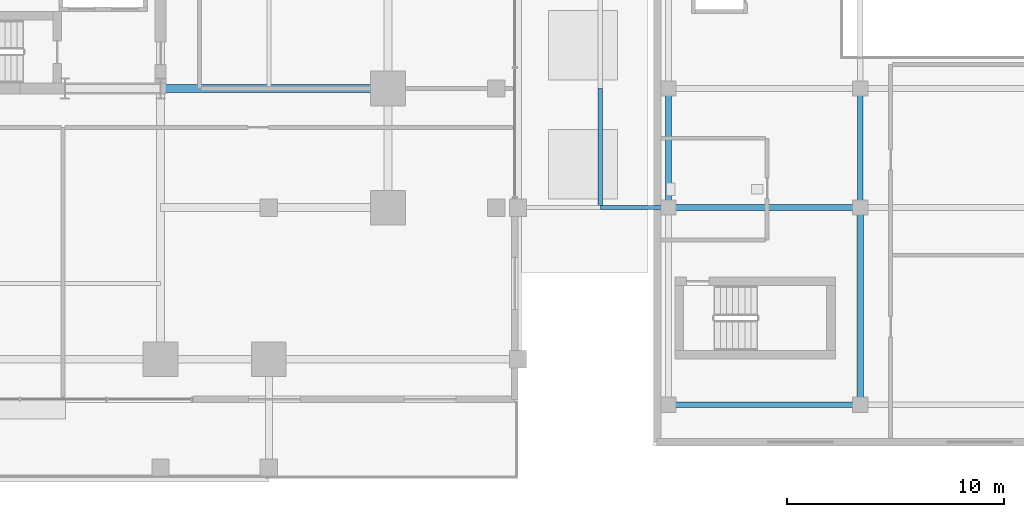
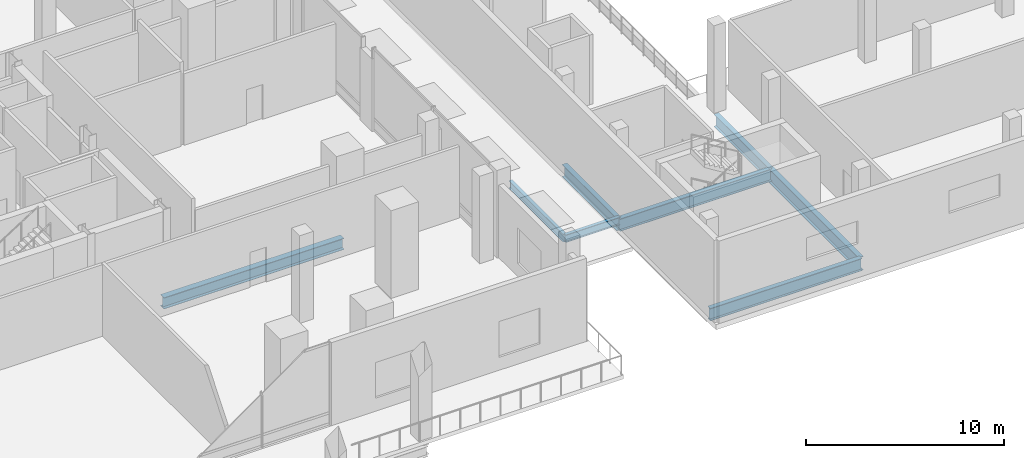
# One storey, part 10 of 36: 8 beams.
"""IFC4 building model written with IfcOpenShell, lengths in metres."""

from ifc_helpers import new_model, si_unit, direction, frame, origin, origin_2d, place, context, subcontext, project, spatial, i_section, extrude, material, material_profile, profile_set, type_object, element, save


model = new_model("IFC4")

# Units and contexts
model_context = context("Model", 3, precision=1e-05, world=origin(), true_north=direction((0.0, 1.0)))
body_context = subcontext(model_context, "Body", "Model", "MODEL_VIEW")
ifc_project = project(units=[si_unit("LENGTHUNIT", "METRE"), si_unit("AREAUNIT", "SQUARE_METRE"), si_unit("VOLUMEUNIT", "CUBIC_METRE"), si_unit("PLANEANGLEUNIT", "RADIAN"), si_unit("MASSUNIT", "GRAM", prefix="KILO")], contexts=[model_context])

# Site, building, storey
site_placement = place(None, origin())
site = spatial("IfcSite", under=ifc_project, at=site_placement, CompositionType="ELEMENT")
building_placement = place(site_placement, origin())
building = spatial("IfcBuilding", under=site, at=building_placement, Name="Barlavira Tower and Art Museum", CompositionType="ELEMENT")
storey_placement = place(building_placement, frame((0.0, 0.0, 11.39990234375)))
storey = spatial("IfcBuildingStorey", under=building, at=storey_placement, Name="L02", CompositionType="ELEMENT", Elevation=11.39990234375)

# Beams
ifc_material = material(Name="Steel S355", Category="steel")
ifc_material_profile_1 = material_profile(ifc_material, i_section(OverallWidth=0.194091796875, OverallDepth=0.468994140625, WebThickness=0.0126953125, FlangeThickness=0.0205078125, at=origin_2d()), Name="W460x106.0")
ifc_profile_set_1 = profile_set([ifc_material_profile_1], Name="Steel S355")
beam_type_1 = type_object("IfcBeamType", Name="Covered Arcade Roof Girder W460x106 Steel S355", PredefinedType="BEAM", material=ifc_profile_set_1)
beam_1_placement = place(storey_placement, frame((26.800048828125, -13.0, -0.46435546875), z_axis=(1.0, 0.0, 0.0), x_axis=(0.0, 1.0, 0.0)))
element("IfcBeam", 1, at=beam_1_placement, inside=storey, type_object=beam_type_1, Name="L02 Arcade Sliding-Bearing Span 1", PredefinedType="BEAM", context=body_context, shape_type="SweptSolid", body=[
    extrude(i_section(OverallWidth=0.194091796875, OverallDepth=0.468994140625, WebThickness=0.0126953125, FlangeThickness=0.0205078125, at=origin_2d()), origin(), (0.0, 0.0, 1.0), 3.14990234375),
])
beam_2_placement = place(storey_placement, frame((26.800048828125, -13.0, -0.46435546875), z_axis=(0.0, 1.0, 0.0), x_axis=(-1.0, 0.0, 0.0)))
element("IfcBeam", 2, at=beam_2_placement, inside=storey, type_object=beam_type_1, Name="L02 Arcade Longitudinal Beam 1", PredefinedType="BEAM", context=body_context, shape_type="SweptSolid", body=[
    extrude(i_section(OverallWidth=0.194091796875, OverallDepth=0.468994140625, WebThickness=0.0126953125, FlangeThickness=0.0205078125, at=origin_2d()), origin(), (0.0, 0.0, 1.0), 5.5),
])
ifc_material_profile_2 = material_profile(ifc_material, i_section(OverallWidth=0.2939453125, OverallDepth=0.85107421875, WebThickness=0.017333984375, FlangeThickness=0.0283203125, at=origin_2d()), Name="W840x251.0")
ifc_profile_set_2 = profile_set([ifc_material_profile_2], Name="Steel S355")
beam_type_2 = type_object("IfcBeamType", Name="Museum Auditorium Heavy Girder W840x251 Steel S355", PredefinedType="BEAM", material=ifc_profile_set_2)
beam_3_placement = place(storey_placement, frame((38.800048828125, -22.10009765625, -0.745361328125), z_axis=(0.0, 1.0, 0.0), x_axis=(-1.0, 0.0, 0.0)))
element("IfcBeam", 3, at=beam_3_placement, inside=storey, type_object=beam_type_2, Name="L02 Museum Girder Y 2-1", PredefinedType="BEAM", context=body_context, shape_type="SweptSolid", body=[
    extrude(i_section(OverallWidth=0.2939453125, OverallDepth=0.85107421875, WebThickness=0.017333984375, FlangeThickness=0.0283203125, at=origin_2d()), origin(), (0.0, 0.0, 1.0), 9.10009765625),
])
ifc_material_profile_3 = material_profile(ifc_material, i_section(OverallWidth=0.26904296875, OverallDepth=0.76806640625, WebThickness=0.016845703125, FlangeThickness=0.026611328125, at=origin_2d()), Name="W760x220.0")
ifc_profile_set_3 = profile_set([ifc_material_profile_3], Name="Steel S355")
beam_type_3 = type_object("IfcBeamType", Name="Museum Long-Span Gallery Girder W760x220 Steel S355", PredefinedType="BEAM", material=ifc_profile_set_3)
for number, where, z_axis, x_axis, name in (
    (4, (29.949951171875, -13.0, -0.703857421875), (0.0, 1.0, 0.0), (-1.0, 0.0, 0.0), "L02 Museum Girder Y 1-2"),
    (5, (38.800048828125, -13.0, -0.703857421875), (0.0, 1.0, 0.0), (-1.0, 0.0, 0.0), "L02 Museum Girder Y 2-2"),
):
    element("IfcBeam", number, at=place(storey_placement, frame(where, z_axis=z_axis, x_axis=x_axis)), inside=storey, type_object=beam_type_3, Name=name, PredefinedType="BEAM", context=body_context, shape_type="SweptSolid", body=[
        extrude(i_section(OverallWidth=0.26904296875, OverallDepth=0.76806640625, WebThickness=0.016845703125, FlangeThickness=0.026611328125, at=origin_2d()), origin(), (0.0, 0.0, 1.0), 5.5),
    ])
for number, where, z_axis, x_axis, name in (
    (6, (29.949951171875, -22.10009765625, -0.703857421875), (1.0, 0.0, 0.0), (0.0, 1.0, 0.0), "L02 Museum Girder X 1-1"),
    (7, (29.949951171875, -13.0, -0.703857421875), (1.0, 0.0, 0.0), (0.0, 1.0, 0.0), "L02 Museum Girder X 2-1"),
):
    element("IfcBeam", number, at=place(storey_placement, frame(where, z_axis=z_axis, x_axis=x_axis)), inside=storey, type_object=beam_type_3, Name=name, PredefinedType="BEAM", context=body_context, shape_type="SweptSolid", body=[
        extrude(i_section(OverallWidth=0.26904296875, OverallDepth=0.76806640625, WebThickness=0.016845703125, FlangeThickness=0.026611328125, at=origin_2d()), origin(), (0.0, 0.0, 1.0), 8.85009765625),
    ])
ifc_material_profile_4 = material_profile(ifc_material, i_section(OverallWidth=0.35595703125, OverallDepth=0.695068359375, WebThickness=0.014892578125, FlangeThickness=0.023681640625, at=origin_2d()), Name="W690x192.0")
ifc_profile_set_4 = profile_set([ifc_material_profile_4], Name="Steel S355")
beam_type_4 = type_object("IfcBeamType", Name="Podium Primary Girder W690x192 Steel S355", PredefinedType="BEAM", material=ifc_profile_set_4)
beam_4_placement = place(storey_placement, frame((6.5, -7.5, -0.62744140625), z_axis=(1.0, 0.0, 0.0), x_axis=(0.0, 1.0, 0.0)))
element("IfcBeam", 8, at=beam_4_placement, inside=storey, type_object=beam_type_4, Name="L02 Girder R-E1", PredefinedType="BEAM", context=body_context, shape_type="SweptSolid", body=[
    extrude(i_section(OverallWidth=0.35595703125, OverallDepth=0.695068359375, WebThickness=0.014892578125, FlangeThickness=0.023681640625, at=origin_2d()), origin(), (0.0, 0.0, 1.0), 10.5),
])

save(model, "model.ifc")
